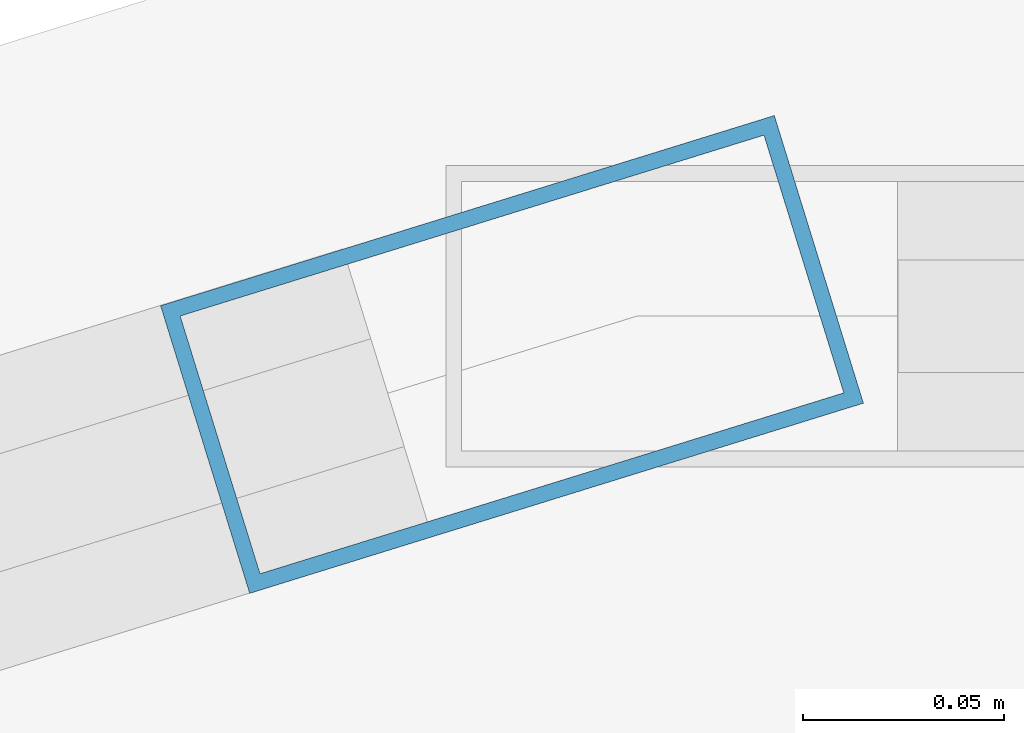
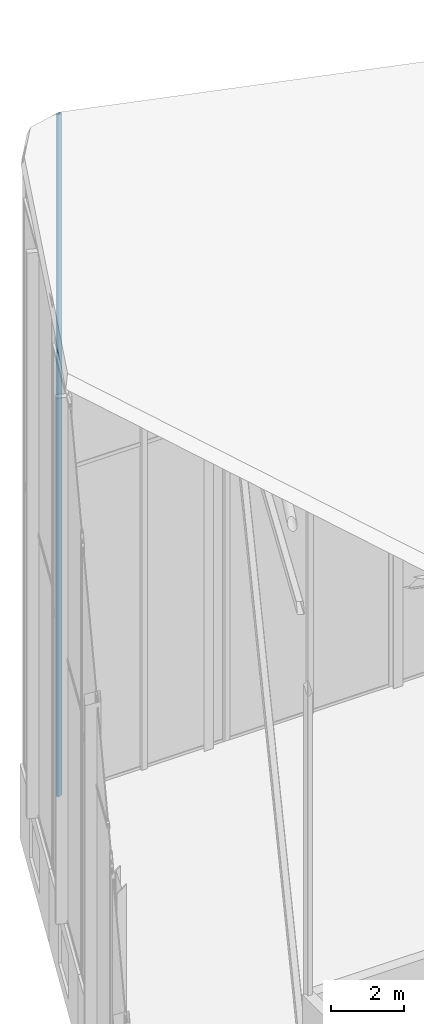
# One storey, part 41 of 74: 1 member, 1 element without a shape of its own.
"""IFC4 building model written with IfcOpenShell, lengths in metres."""

from ifc_helpers import new_model, si_unit, direction, frame, origin, origin_2d, place, context, subcontext, project, spatial, hollow_rectangle, extrude, material, layer, layer_set, material_profile, profile_set, type_object, element, aggregate, save


model = new_model("IFC4")

# Units and contexts
model_context = context("Model", 3, precision=1e-05, world=origin(), true_north=direction((0.0, 1.0)))
body_context = subcontext(model_context, "Body", "Model", "MODEL_VIEW")
ifc_project = project(units=[si_unit("LENGTHUNIT", "METRE"), si_unit("AREAUNIT", "SQUARE_METRE"), si_unit("VOLUMEUNIT", "CUBIC_METRE"), si_unit("PLANEANGLEUNIT", "RADIAN"), si_unit("MASSUNIT", "GRAM", prefix="KILO")], contexts=[model_context])

# Site, building, storey
site_placement = place(None, origin())
site = spatial("IfcSite", under=ifc_project, at=site_placement, CompositionType="ELEMENT")
building_placement = place(site_placement, origin())
building = spatial("IfcBuilding", under=site, at=building_placement, Name="Keshet Zoharim Tower", CompositionType="ELEMENT")
storey_placement = place(building_placement, frame((0.0, 0.0, 320.0)))
storey = spatial("IfcBuildingStorey", under=building, at=storey_placement, Name="RF", CompositionType="ELEMENT", Elevation=320.0)

# Curtain wall, member
ifc_material = material(Name="Aluminium 6063-T6", Category="aluminium")
ifc_layer = layer(ifc_material, 0.260009765625)
ifc_layer_set = layer_set([ifc_layer], Name="Aluminium 6063-T6")
curtain_wall_type = type_object("IfcCurtainWallType", Name="CW-SYS-06", PredefinedType="NOTDEFINED", material=ifc_layer_set)
curtain_wall_placement = place(storey_placement, origin())
curtain_wall = element("IfcCurtainWall", 1, at=curtain_wall_placement, inside=storey, type_object=curtain_wall_type, Name="Slanted Crown Curtain Wall 10", PredefinedType="NOTDEFINED")
ifc_material_profile = material_profile(ifc_material, hollow_rectangle(XDim=0.074951171875, YDim=0.159912109375, WallThickness=0.00390625, at=origin_2d()), Name="MUL-75x160")
ifc_profile_set = profile_set([ifc_material_profile], Name="Aluminium 6063-T6")
member_type = type_object("IfcMemberType", Name="CWM-M15", PredefinedType="MULLION", material=ifc_profile_set)
member_placement = place(storey_placement, frame((16.343017578125, 53.890380859375, 0.0), z_axis=(0.0, 0.0, 1.0), x_axis=(-0.295921857984, 0.955212151288, 0.0)))
member = element("IfcMember", 2, at=member_placement, type_object=member_type, Name="CW-06 mullion 2", PredefinedType="MULLION", context=body_context, shape_type="SweptSolid", body=[
    extrude(hollow_rectangle(XDim=0.074951171875, YDim=0.159912109375, WallThickness=0.00390625, at=origin_2d()), origin(), (0.0, 0.0, 1.0), 22.864013671875),
])
aggregate(curtain_wall, [member])

save(model, "model.ifc")
